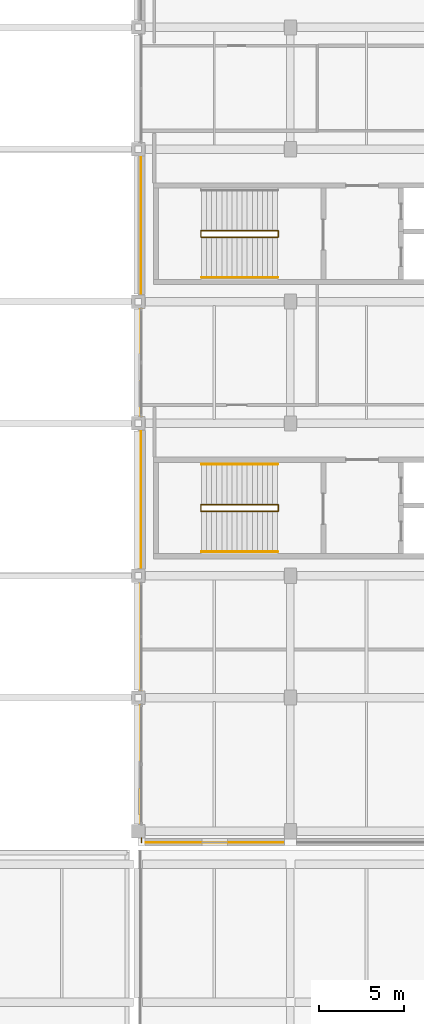
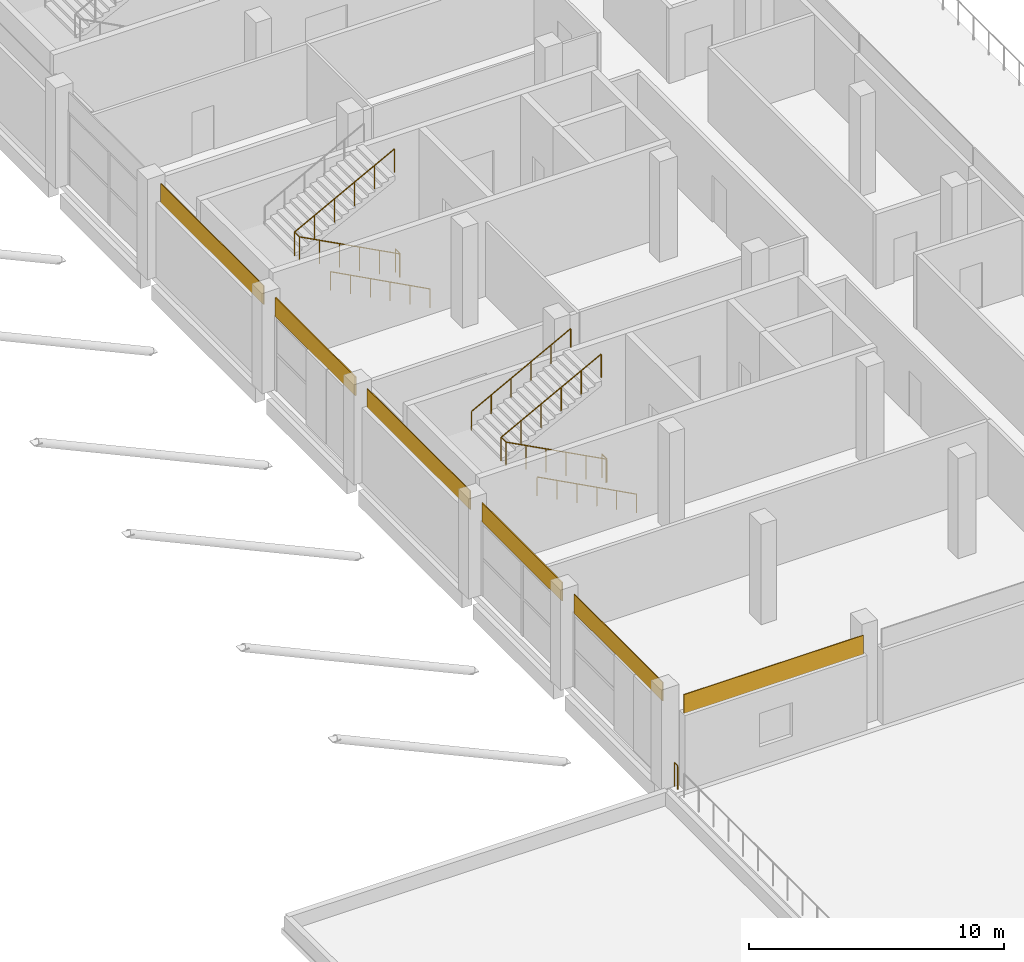
# One storey, part 75 of 82: 8 railings, 6 coverings.
"""IFC4 building model written with IfcOpenShell, lengths in metres."""

from ifc_helpers import new_model, si_unit, direction, frame, origin, origin_2d, place, context, subcontext, project, spatial, rectangle, circle, extrude, material, layer, layer_set, type_object, element, save


model = new_model("IFC4")

# Units and contexts
model_context = context("Model", 3, precision=1e-05, world=origin(), true_north=direction((0.0, 1.0)))
body_context = subcontext(model_context, "Body", "Model", "MODEL_VIEW")
ifc_project = project(units=[si_unit("LENGTHUNIT", "METRE"), si_unit("AREAUNIT", "SQUARE_METRE"), si_unit("VOLUMEUNIT", "CUBIC_METRE"), si_unit("PLANEANGLEUNIT", "RADIAN"), si_unit("MASSUNIT", "GRAM", prefix="KILO"), si_unit("THERMODYNAMICTEMPERATUREUNIT", "KELVIN"), si_unit("POWERUNIT", "WATT")], contexts=[model_context])

# Site, building, storey
site_placement = place(None, origin())
site = spatial("IfcSite", under=ifc_project, at=site_placement, CompositionType="ELEMENT")
building_placement = place(site_placement, origin())
building = spatial("IfcBuilding", under=site, at=building_placement, Name="Sindhuravela Promenade Stadium", CompositionType="ELEMENT")
storey_placement = place(building_placement, frame((0.0, 0.0, 14.39990234375)))
storey = spatial("IfcBuildingStorey", under=building, at=storey_placement, Name="L03", CompositionType="ELEMENT", Elevation=14.39990234375)

# Coverings
ifc_material_1 = material(Name="Polychrome trencadis ceramic mosaic", Category="masonry")
ifc_layer_1 = layer(ifc_material_1, 0.034912109375)
ifc_layer_set_1 = layer_set([ifc_layer_1], Name="Polychrome trencadis ceramic mosaic")
covering_type_1 = type_object("IfcCoveringType", Name="CV-TRENC-1", PredefinedType="CLADDING", material=ifc_layer_set_1)
covering_1_placement = place(storey_placement, frame((180.179931640625, 41.050048828125, 3.55517578125), z_axis=(0.0, 0.0, 1.0), x_axis=(0.0, 1.0, 0.0)))
element("IfcCovering", 1, at=covering_1_placement, inside=storey, type_object=covering_type_1, Name="Trencadis ceramic mosaic spandrel frieze EAST L03-200", PredefinedType="CLADDING", context=body_context, shape_type="SweptSolid", body=[
    extrude(rectangle(XDim=6.969970703125, YDim=0.034912109375, at=origin_2d()), origin(), (0.0, 0.0, 1.0), 0.905029296875),
])
for number, where, z_axis, x_axis, name in (
    (2, (180.179931640625, 56.699951171875, 3.55517578125), (0.0, 0.0, 1.0), (0.0, 1.0, 0.0), "Trencadis ceramic mosaic spandrel frieze EAST L03-202"),
    (3, (180.179931640625, 72.89990234375, 3.55517578125), (0.0, 0.0, 1.0), (0.0, 1.0, 0.0), "Trencadis ceramic mosaic spandrel frieze EAST L03-204"),
):
    element("IfcCovering", number, at=place(storey_placement, frame(where, z_axis=z_axis, x_axis=x_axis)), inside=storey, type_object=covering_type_1, Name=name, PredefinedType="CLADDING", context=body_context, shape_type="SweptSolid", body=[
        extrude(rectangle(XDim=8.070068359375, YDim=0.034912109375, at=origin_2d()), origin(), (0.0, 0.0, 1.0), 0.905029296875),
    ])
covering_2_placement = place(storey_placement, frame((184.52490234375, 36.429931640625, 3.55517578125), z_axis=(0.0, 0.0, 1.0), x_axis=(-1.0, 0.0, 0.0)))
element("IfcCovering", 4, at=covering_2_placement, inside=storey, type_object=covering_type_1, Name="Trencadis ceramic mosaic spandrel frieze EAST L03-226", PredefinedType="CLADDING", context=body_context, shape_type="SweptSolid", body=[
    extrude(rectangle(XDim=8.1201171875, YDim=0.034912109375, at=origin_2d()), origin(), (0.0, 0.0, 1.0), 0.905029296875),
])
ifc_layer_2 = layer(ifc_material_1, 0.050048828125)
ifc_layer_set_2 = layer_set([ifc_layer_2], Name="Polychrome trencadis ceramic mosaic")
covering_type_2 = type_object("IfcCoveringType", Name="CV-TRENC-2", PredefinedType="CLADDING", material=ifc_layer_set_2)
for number, where, z_axis, x_axis, name in (
    (5, (180.179931640625, 48.60009765625, 3.55517578125), (0.0, 0.0, 1.0), (0.0, 1.0, 0.0), "Trencadis ceramic mosaic spandrel frieze EAST L03-201"),
    (6, (180.179931640625, 64.800048828125, 3.55517578125), (0.0, 0.0, 1.0), (0.0, 1.0, 0.0), "Trencadis ceramic mosaic spandrel frieze EAST L03-203"),
):
    element("IfcCovering", number, at=place(storey_placement, frame(where, z_axis=z_axis, x_axis=x_axis)), inside=storey, type_object=covering_type_2, Name=name, PredefinedType="CLADDING", context=body_context, shape_type="SweptSolid", body=[
        extrude(rectangle(XDim=6.27001953125, YDim=0.050048828125, at=origin_2d()), origin(), (0.0, 0.0, 1.0), 0.905029296875),
    ])

# Railings
ifc_material_2 = material(Name="Architectural wrought steel E350", Category="steel")
railing_type_1 = type_object("IfcRailingType", Name="RL-GRD-1150", PredefinedType="GUARDRAIL", material=ifc_material_2)
railing_1_placement = place(storey_placement, frame((180.199951171875, 36.449951171875, 0.0)))
element("IfcRailing", 7, at=railing_1_placement, inside=storey, type_object=railing_type_1, Name="Perimeter edge return guard EAST L03", PredefinedType="GUARDRAIL", context=body_context, shape_type="SweptSolid", body=[
    extrude(circle(Radius=0.02392578125, at=origin_2d()), frame((0.0, 0.0, 1.1259765625), z_axis=(0.0, 1.0, 0.0), x_axis=(-1.0, 0.0, 0.0)), (0.0, 0.0, 1.0), 0.2451171875),
    extrude(circle(Radius=0.02099609375, at=origin_2d()), origin(), (0.0, 0.0, 1.0), 1.101806640625),
    extrude(circle(Radius=0.02099609375, at=origin_2d()), frame((0.0, 0.2451171875, 0.0)), (0.0, 0.0, 1.0), 1.101806640625),
])
railing_2_placement = place(storey_placement, frame((188.25, 56.010009765625, 0.0)))
element("IfcRailing", 8, at=railing_2_placement, inside=storey, type_object=railing_type_1, Name="Stair ST05 inner well guard (L03)", PredefinedType="GUARDRAIL", context=body_context, shape_type="SweptSolid", body=[
    extrude(circle(Radius=0.02392578125, at=origin_2d()), frame((0.0, 0.0, 1.1259765625), z_axis=(-0.8836349624059475, 0.0, 0.46817651928929505), x_axis=(0.0, -1.0, 0.0)), (0.0, 0.0, 1.0), 5.12646484375),
    extrude(circle(Radius=0.02392578125, at=origin_2d()), frame((-4.530029296875, 0.0, 3.52587890625), z_axis=(0.0, 1.0, 0.0), x_axis=(-1.0, 0.0, 0.0)), (0.0, 0.0, 1.0), 0.3798828125),
    extrude(circle(Radius=0.02392578125, at=origin_2d()), frame((-4.530029296875, 0.3798828125, 3.52587890625), z_axis=(0.8836546633431795, 0.0, 0.46813933390802775), x_axis=(0.0, 1.0, 0.0)), (0.0, 0.0, 1.0), 5.12646484375),
    extrude(circle(Radius=0.02099609375, at=origin_2d()), origin(), (0.0, 0.0, 1.0), 1.101806640625),
    extrude(circle(Radius=0.02099609375, at=origin_2d()), frame((-0.906005859375, 0.0, 0.47998046875)), (0.0, 0.0, 1.0), 1.101806640625),
    extrude(circle(Radius=0.02099609375, at=origin_2d()), frame((-1.81201171875, 0.0, 0.9599609375)), (0.0, 0.0, 1.0), 1.101806640625),
    extrude(circle(Radius=0.02099609375, at=origin_2d()), frame((-2.718017578125, 0.0, 1.440185546875)), (0.0, 0.0, 1.0), 1.101806640625),
    extrude(circle(Radius=0.02099609375, at=origin_2d()), frame((-3.6240234375, 0.0, 1.920166015625)), (0.0, 0.0, 1.0), 1.101806640625),
    extrude(circle(Radius=0.02099609375, at=origin_2d()), frame((-4.530029296875, 0.0, 2.400146484375)), (0.0, 0.0, 1.0), 1.101806640625),
    extrude(circle(Radius=0.02099609375, at=origin_2d()), frame((-4.530029296875, 0.3798828125, 2.400146484375)), (0.0, 0.0, 1.0), 1.101806640625),
    extrude(circle(Radius=0.02099609375, at=origin_2d()), frame((-3.6240234375, 0.3798828125, 2.880126953125)), (0.0, 0.0, 1.0), 1.101806640625),
    extrude(circle(Radius=0.02099609375, at=origin_2d()), frame((-2.718017578125, 0.3798828125, 3.360107421875)), (0.0, 0.0, 1.0), 1.101806640625),
    extrude(circle(Radius=0.02099609375, at=origin_2d()), frame((-1.81201171875, 0.3798828125, 3.840087890625)), (0.0, 0.0, 1.0), 1.101806640625),
    extrude(circle(Radius=0.02099609375, at=origin_2d()), frame((-0.906005859375, 0.3798828125, 4.320068359375)), (0.0, 0.0, 1.0), 1.101806640625),
    extrude(circle(Radius=0.02099609375, at=origin_2d()), frame((0.0, 0.3798828125, 4.800048828125)), (0.0, 0.0, 1.0), 1.101806640625),
])
railing_3_placement = place(storey_placement, frame((188.280029296875, 56.010009765625, 0.0)))
element("IfcRailing", 9, at=railing_3_placement, inside=storey, type_object=railing_type_1, Name="Stair ST05 landing well slot guard (L03)", PredefinedType="GUARDRAIL", context=body_context, shape_type="SweptSolid", body=[
    extrude(circle(Radius=0.02392578125, at=origin_2d()), frame((0.0, 0.0, 1.1259765625), z_axis=(0.0, 1.0, 0.0), x_axis=(-1.0, 0.0, 0.0)), (0.0, 0.0, 1.0), 0.3798828125),
    extrude(circle(Radius=0.02099609375, at=origin_2d()), origin(), (0.0, 0.0, 1.0), 1.101806640625),
    extrude(circle(Radius=0.02099609375, at=origin_2d()), frame((0.0, 0.3798828125, 0.0)), (0.0, 0.0, 1.0), 1.101806640625),
])
railing_4_placement = place(storey_placement, frame((188.25, 72.2099609375, 0.0)))
element("IfcRailing", 10, at=railing_4_placement, inside=storey, type_object=railing_type_1, Name="Stair ST06 inner well guard (L03)", PredefinedType="GUARDRAIL", context=body_context, shape_type="SweptSolid", body=[
    extrude(circle(Radius=0.02392578125, at=origin_2d()), frame((0.0, 0.0, 1.1259765625), z_axis=(-0.8836349624059475, 0.0, 0.46817651928929505), x_axis=(0.0, -1.0, 0.0)), (0.0, 0.0, 1.0), 5.12646484375),
    extrude(circle(Radius=0.02392578125, at=origin_2d()), frame((-4.530029296875, 0.0, 3.52587890625), z_axis=(0.0, 1.0, 0.0), x_axis=(-1.0, 0.0, 0.0)), (0.0, 0.0, 1.0), 0.380126953125),
    extrude(circle(Radius=0.02392578125, at=origin_2d()), frame((-4.530029296875, 0.380126953125, 3.52587890625), z_axis=(0.8836546633431795, 0.0, 0.46813933390802775), x_axis=(0.0, 1.0, 0.0)), (0.0, 0.0, 1.0), 5.12646484375),
    extrude(circle(Radius=0.02099609375, at=origin_2d()), origin(), (0.0, 0.0, 1.0), 1.101806640625),
    extrude(circle(Radius=0.02099609375, at=origin_2d()), frame((-0.906005859375, 0.0, 0.47998046875)), (0.0, 0.0, 1.0), 1.101806640625),
    extrude(circle(Radius=0.02099609375, at=origin_2d()), frame((-1.81201171875, 0.0, 0.9599609375)), (0.0, 0.0, 1.0), 1.101806640625),
    extrude(circle(Radius=0.02099609375, at=origin_2d()), frame((-2.718017578125, 0.0, 1.440185546875)), (0.0, 0.0, 1.0), 1.101806640625),
    extrude(circle(Radius=0.02099609375, at=origin_2d()), frame((-3.6240234375, 0.0, 1.920166015625)), (0.0, 0.0, 1.0), 1.101806640625),
    extrude(circle(Radius=0.02099609375, at=origin_2d()), frame((-4.530029296875, 0.0, 2.400146484375)), (0.0, 0.0, 1.0), 1.101806640625),
    extrude(circle(Radius=0.02099609375, at=origin_2d()), frame((-4.530029296875, 0.380126953125, 2.400146484375)), (0.0, 0.0, 1.0), 1.101806640625),
    extrude(circle(Radius=0.02099609375, at=origin_2d()), frame((-3.6240234375, 0.380126953125, 2.880126953125)), (0.0, 0.0, 1.0), 1.101806640625),
    extrude(circle(Radius=0.02099609375, at=origin_2d()), frame((-2.718017578125, 0.380126953125, 3.360107421875)), (0.0, 0.0, 1.0), 1.101806640625),
    extrude(circle(Radius=0.02099609375, at=origin_2d()), frame((-1.81201171875, 0.380126953125, 3.840087890625)), (0.0, 0.0, 1.0), 1.101806640625),
    extrude(circle(Radius=0.02099609375, at=origin_2d()), frame((-0.906005859375, 0.380126953125, 4.320068359375)), (0.0, 0.0, 1.0), 1.101806640625),
    extrude(circle(Radius=0.02099609375, at=origin_2d()), frame((0.0, 0.380126953125, 4.800048828125)), (0.0, 0.0, 1.0), 1.101806640625),
])
railing_5_placement = place(storey_placement, frame((188.280029296875, 72.2099609375, 0.0)))
element("IfcRailing", 11, at=railing_5_placement, inside=storey, type_object=railing_type_1, Name="Stair ST06 landing well slot guard (L03)", PredefinedType="GUARDRAIL", context=body_context, shape_type="SweptSolid", body=[
    extrude(circle(Radius=0.02392578125, at=origin_2d()), frame((0.0, 0.0, 1.1259765625), z_axis=(0.0, 1.0, 0.0), x_axis=(-1.0, 0.0, 0.0)), (0.0, 0.0, 1.0), 0.380126953125),
    extrude(circle(Radius=0.02099609375, at=origin_2d()), origin(), (0.0, 0.0, 1.0), 1.101806640625),
    extrude(circle(Radius=0.02099609375, at=origin_2d()), frame((0.0, 0.380126953125, 0.0)), (0.0, 0.0, 1.0), 1.101806640625),
])
railing_type_2 = type_object("IfcRailingType", Name="RL-HND-920", PredefinedType="HANDRAIL", material=ifc_material_2)
railing_6_placement = place(storey_placement, frame((188.25, 53.6201171875, 0.0)))
element("IfcRailing", 12, at=railing_6_placement, inside=storey, type_object=railing_type_2, Name="Stair ST05 lower wall handrail (L03)", PredefinedType="HANDRAIL", context=body_context, shape_type="SweptSolid", body=[
    extrude(circle(Radius=0.02392578125, at=origin_2d()), frame((0.0, 0.0, 0.89599609375), z_axis=(-0.8823410147872734, 0.0, 0.47061059659145427), x_axis=(0.0, -1.0, 0.0)), (0.0, 0.0, 1.0), 5.10009765625),
    extrude(circle(Radius=0.02099609375, at=origin_2d()), origin(), (0.0, 0.0, 1.0), 0.871826171875),
    extrude(circle(Radius=0.02099609375, at=origin_2d()), frame((-0.89990234375, 0.0, 0.47998046875)), (0.0, 0.0, 1.0), 0.871826171875),
    extrude(circle(Radius=0.02099609375, at=origin_2d()), frame((-1.800048828125, 0.0, 0.9599609375)), (0.0, 0.0, 1.0), 0.871826171875),
    extrude(circle(Radius=0.02099609375, at=origin_2d()), frame((-2.699951171875, 0.0, 1.440185546875)), (0.0, 0.0, 1.0), 0.871826171875),
    extrude(circle(Radius=0.02099609375, at=origin_2d()), frame((-3.60009765625, 0.0, 1.920166015625)), (0.0, 0.0, 1.0), 0.871826171875),
    extrude(circle(Radius=0.02099609375, at=origin_2d()), frame((-4.5, 0.0, 2.400146484375)), (0.0, 0.0, 1.0), 0.871826171875),
])
railing_7_placement = place(storey_placement, frame((183.75, 58.780029296875, 2.400146484375)))
element("IfcRailing", 13, at=railing_7_placement, inside=storey, type_object=railing_type_2, Name="Stair ST05 upper wall handrail (L03)", PredefinedType="HANDRAIL", context=body_context, shape_type="SweptSolid", body=[
    extrude(circle(Radius=0.02392578125, at=origin_2d()), frame((0.0, 0.0, 0.89599609375), z_axis=(0.8823608919668723, 0.0, 0.4705733272588083), x_axis=(0.0, 1.0, 0.0)), (0.0, 0.0, 1.0), 5.099853515625),
    extrude(circle(Radius=0.02099609375, at=origin_2d()), origin(), (0.0, 0.0, 1.0), 0.871826171875),
    extrude(circle(Radius=0.02099609375, at=origin_2d()), frame((0.89990234375, 0.0, 0.47998046875)), (0.0, 0.0, 1.0), 0.871826171875),
    extrude(circle(Radius=0.02099609375, at=origin_2d()), frame((1.800048828125, 0.0, 0.9599609375)), (0.0, 0.0, 1.0), 0.871826171875),
    extrude(circle(Radius=0.02099609375, at=origin_2d()), frame((2.699951171875, 0.0, 1.43994140625)), (0.0, 0.0, 1.0), 0.871826171875),
    extrude(circle(Radius=0.02099609375, at=origin_2d()), frame((3.60009765625, 0.0, 1.919921875)), (0.0, 0.0, 1.0), 0.871826171875),
    extrude(circle(Radius=0.02099609375, at=origin_2d()), frame((4.5, 0.0, 2.39990234375)), (0.0, 0.0, 1.0), 0.871826171875),
])
railing_8_placement = place(storey_placement, frame((188.25, 69.820068359375, 0.0)))
element("IfcRailing", 14, at=railing_8_placement, inside=storey, type_object=railing_type_2, Name="Stair ST06 lower wall handrail (L03)", PredefinedType="HANDRAIL", context=body_context, shape_type="SweptSolid", body=[
    extrude(circle(Radius=0.02392578125, at=origin_2d()), frame((0.0, 0.0, 0.89599609375), z_axis=(-0.8823410147872734, 0.0, 0.47061059659145427), x_axis=(0.0, -1.0, 0.0)), (0.0, 0.0, 1.0), 5.10009765625),
    extrude(circle(Radius=0.02099609375, at=origin_2d()), origin(), (0.0, 0.0, 1.0), 0.871826171875),
    extrude(circle(Radius=0.02099609375, at=origin_2d()), frame((-0.89990234375, 0.0, 0.47998046875)), (0.0, 0.0, 1.0), 0.871826171875),
    extrude(circle(Radius=0.02099609375, at=origin_2d()), frame((-1.800048828125, 0.0, 0.9599609375)), (0.0, 0.0, 1.0), 0.871826171875),
    extrude(circle(Radius=0.02099609375, at=origin_2d()), frame((-2.699951171875, 0.0, 1.440185546875)), (0.0, 0.0, 1.0), 0.871826171875),
    extrude(circle(Radius=0.02099609375, at=origin_2d()), frame((-3.60009765625, 0.0, 1.920166015625)), (0.0, 0.0, 1.0), 0.871826171875),
    extrude(circle(Radius=0.02099609375, at=origin_2d()), frame((-4.5, 0.0, 2.400146484375)), (0.0, 0.0, 1.0), 0.871826171875),
])

save(model, "model.ifc")
